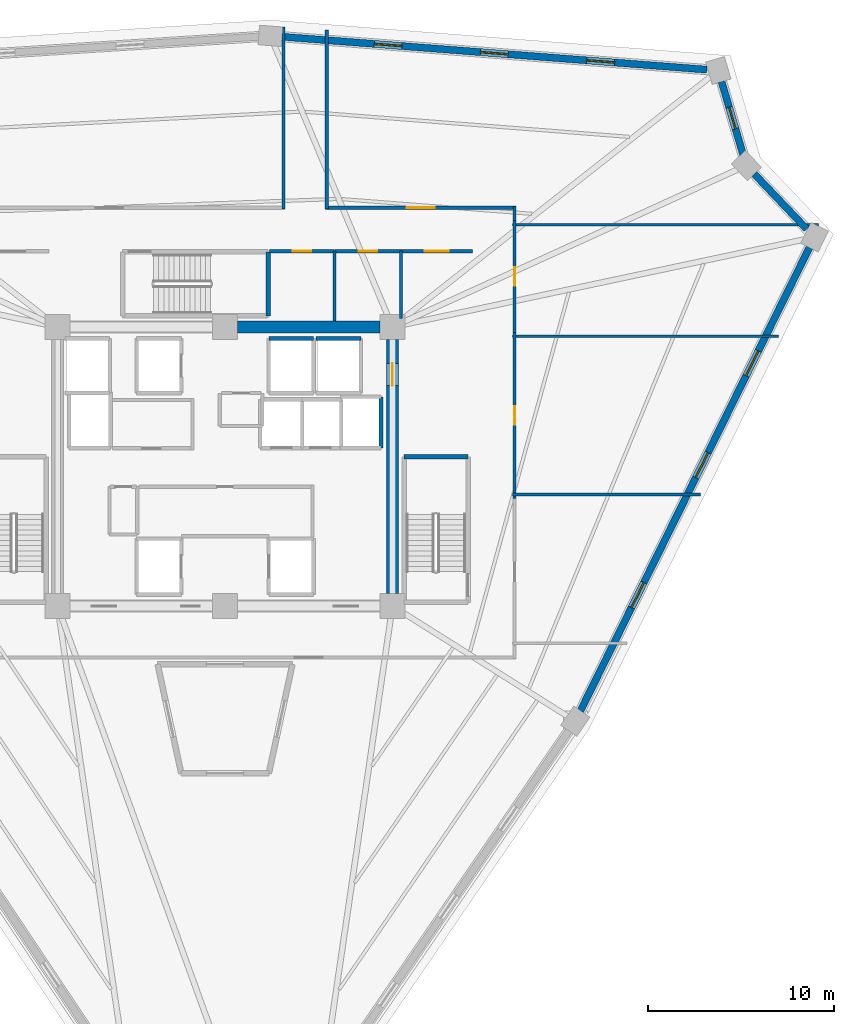
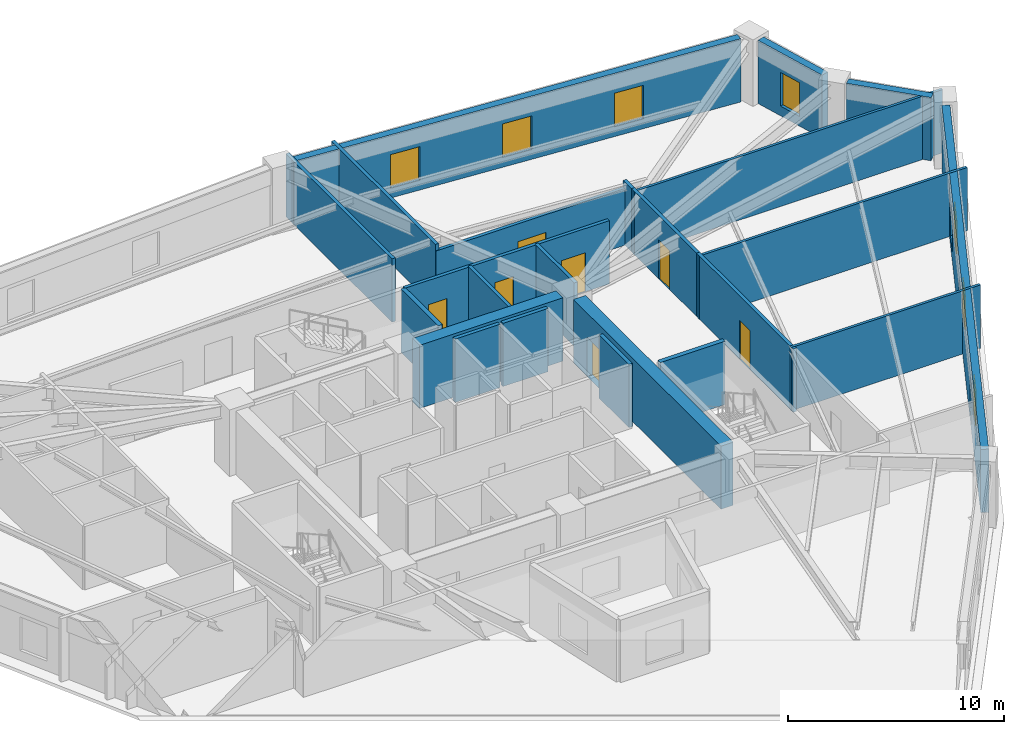
# One storey, part 6 of 9: 25 walls, 7 doors, 7 windows, 14 openings.
"""IFC4 building model written with IfcOpenShell, lengths in metres."""

from ifc_helpers import new_model, si_unit, direction, frame, frame_2d, origin, place, context, subcontext, project, spatial, rectangle, extrude, source, transform, mapped, material, layer, layer_set, type_object, element, fill, save


model = new_model("IFC4")

# Units and contexts
model_context = context("Model", 3, precision=1e-05, world=origin(), true_north=direction((0.0, 1.0)))
body_context = subcontext(model_context, "Body", "Model", "MODEL_VIEW")
ifc_project = project(units=[si_unit("LENGTHUNIT", "METRE"), si_unit("AREAUNIT", "SQUARE_METRE"), si_unit("VOLUMEUNIT", "CUBIC_METRE"), si_unit("PLANEANGLEUNIT", "RADIAN"), si_unit("MASSUNIT", "GRAM", prefix="KILO")], contexts=[model_context])

# Site, building, storey
site_placement = place(None, origin())
site = spatial("IfcSite", under=ifc_project, at=site_placement, CompositionType="ELEMENT")
building_placement = place(site_placement, origin())
building = spatial("IfcBuilding", under=site, at=building_placement, Name="Liaohun Quay Tower", CompositionType="ELEMENT")
storey_placement = place(building_placement, frame((0.0, 0.0, 258.75)))
storey = spatial("IfcBuildingStorey", under=building, at=storey_placement, Name="L67", CompositionType="ELEMENT", Elevation=258.75)

# Wall
ifc_material_1 = material(Name="Concrete C55", Category="concrete")
ifc_layer_1 = layer(ifc_material_1, 0.64990234375, Name="Concrete C55", Category="concrete")
ifc_layer_set_1 = layer_set([ifc_layer_1], Name="Concrete C55")
wall_type_1 = type_object("IfcWallType", Name="WAL-COR-Z3", PredefinedType="SHEAR", material=ifc_layer_set_1)
wall_1_placement = place(storey_placement, frame((60.675048828125, 61.5, 0.0), z_axis=(0.0, 0.0, 1.0), x_axis=(1.0, 0.0, 0.0)))
element("IfcWall", 1, at=wall_1_placement, inside=storey, type_object=wall_type_1, Name="L67 Central Core Shear Wall N-E", PredefinedType="SHEAR", context=body_context, shape_type="SweptSolid", body=[
    extrude(rectangle(XDim=7.64990234375, YDim=0.64990234375, at=frame_2d((3.824951171875, 0.0))), origin(), (0.0, 0.0, 1.0), 3.570068359375),
])

# Wall, opening, door
wall_2_placement = place(storey_placement, frame((69.0, 60.824951171875, 0.0), z_axis=(0.0, 0.0, 1.0), x_axis=(0.0, -1.0, 0.0)))
wall_2 = element("IfcWall", 2, at=wall_2_placement, inside=storey, type_object=wall_type_1, Name="L67 Central Core Shear Wall E", PredefinedType="SHEAR", context=body_context, shape_type="SweptSolid", body=[
    extrude(rectangle(XDim=13.64990234375, YDim=0.64990234375, at=frame_2d((6.824951171875, 0.0))), origin(), (0.0, 0.0, 1.0), 3.570068359375),
])
shared_shape_1 = source(origin(), body_context, "Body", "SweptSolid", [
    extrude(rectangle(XDim=1.199951171875, YDim=2.199951171875, at=frame_2d((0.60009765625, 1.10009765625))), frame((0.0, 0.3349609375, 0.0), z_axis=(0.0, -1.0, 0.0), x_axis=(1.0, 0.0, 0.0)), (0.0, 0.0, 1.0), 0.669921875),
])
opening_1_placement = place(wall_2_placement, frame((1.27490234375, 0.0, 0.0)))
opening_1 = element("IfcOpeningElement", 3, at=opening_1_placement, cuts=wall_2, Name="Opening SD1", PredefinedType="OPENING", context=body_context, shape_type="MappedRepresentation", body=[
    mapped(shared_shape_1, transform((0.0, 0.0, 0.0), x_axis=(1.0, 0.0, 0.0), y_axis=(0.0, 1.0, 0.0), z_axis=(0.0, 0.0, 1.0), scale=1.0)),
])
ifc_material_2 = material(Name="Galvanised steel fire door", Category="steel")
door_type_1 = type_object("IfcDoorType", Name="DOR-STR-1200", OperationType="NOTDEFINED", PredefinedType="DOOR", material=ifc_material_2)
shared_shape_2 = source(origin(), body_context, "Body", "SweptSolid", [
    extrude(rectangle(XDim=1.199951171875, YDim=2.199951171875, at=frame_2d((0.60009765625, 1.10009765625))), frame((0.0, 0.02490234375, 0.0), z_axis=(0.0, -1.0, 0.0), x_axis=(1.0, 0.0, 0.0)), (0.0, 0.0, 1.0), 0.050048828125),
])
door_1_placement = place(opening_1_placement, origin())
door_1 = element("IfcDoor", 4, at=door_1_placement, inside=storey, type_object=door_type_1, Name="L67 North-East Core Lobby Smokeproof Door", OperationType="SINGLE_SWING_LEFT", OverallHeight=2.199951171875, OverallWidth=1.199951171875, PredefinedType="DOOR", context=body_context, shape_type="MappedRepresentation", body=[
    mapped(shared_shape_2, transform((0.0, 0.0, 0.0), x_axis=(1.0, 0.0, 0.0), y_axis=(0.0, 1.0, 0.0), z_axis=(0.0, 0.0, 1.0), scale=1.0)),
])
fill(opening_1, door_1)

# Wall, openings, windows
ifc_material_3 = material(Name="Precast concrete C50 insulated sandwich", Category="concrete")
ifc_layer_2 = layer(ifc_material_3, 0.3798828125, Name="Precast concrete C50 insulated sandwich", Category="concrete")
ifc_layer_set_2 = layer_set([ifc_layer_2], Name="Precast concrete C50 insulated sandwich")
wall_type_2 = type_object("IfcWallType", Name="WAL-EXT-Z34", PredefinedType="SOLIDWALL", material=ifc_layer_set_2)
wall_3_placement = place(storey_placement, frame((79.10009765625, 40.864990234375, 0.0), z_axis=(0.0, 0.0, 1.0), x_axis=(0.44309993188, 0.896472225096, 0.0)))
wall_3 = element("IfcWall", 5, at=wall_3_placement, inside=storey, type_object=wall_type_2, Name="L67 Brutalist Precast Pier Wall 03", PredefinedType="SOLIDWALL", context=body_context, shape_type="SweptSolid", body=[
    extrude(rectangle(XDim=27.783447265625, YDim=0.3798828125, at=frame_2d((13.8916015625, 0.0))), origin(), (0.0, 0.0, 1.0), 3.570068359375),
])
shared_shape_3 = source(origin(), body_context, "Body", "SweptSolid", [
    extrude(rectangle(XDim=1.5, YDim=1.89990234375, at=frame_2d((0.75, 0.949951171875))), frame((0.0, 0.199951171875, 0.0), z_axis=(0.0, -1.0, 0.0), x_axis=(1.0, 0.0, 0.0)), (0.0, 0.0, 1.0), 0.39990234375),
])
opening_2_placement = place(wall_3_placement, frame((6.196044921875, 0.0, 0.550048828125)))
opening_2 = element("IfcOpeningElement", 6, at=opening_2_placement, cuts=wall_3, Name="Opening W03", PredefinedType="OPENING", context=body_context, shape_type="MappedRepresentation", body=[
    mapped(shared_shape_3, transform((0.0, 0.0, 0.0), x_axis=(1.0, 0.0, 0.0), y_axis=(0.0, 1.0, 0.0), z_axis=(0.0, 0.0, 1.0), scale=1.0)),
])
opening_3_placement = place(wall_3_placement, frame((13.991943359375, 0.0, 0.550048828125)))
opening_3 = element("IfcOpeningElement", 7, at=opening_3_placement, cuts=wall_3, Name="Opening W03", PredefinedType="OPENING", context=body_context, shape_type="MappedRepresentation", body=[
    mapped(shared_shape_3, transform((0.0, 0.0, 0.0), x_axis=(1.0, 0.0, 0.0), y_axis=(0.0, 1.0, 0.0), z_axis=(0.0, 0.0, 1.0), scale=1.0)),
])
opening_4_placement = place(wall_3_placement, frame((20.087890625, 0.0, 0.550048828125)))
opening_4 = element("IfcOpeningElement", 8, at=opening_4_placement, cuts=wall_3, Name="Opening W03", PredefinedType="OPENING", context=body_context, shape_type="MappedRepresentation", body=[
    mapped(shared_shape_3, transform((0.0, 0.0, 0.0), x_axis=(1.0, 0.0, 0.0), y_axis=(0.0, 1.0, 0.0), z_axis=(0.0, 0.0, 1.0), scale=1.0)),
])
ifc_material_4 = material(Name="Triple Low-E argon glazing in thermally broken aluminium", Category="aluminium")
window_type_1 = type_object("IfcWindowType", Name="WIN-PUN-Z3", PartitioningType="DOUBLE_PANEL_VERTICAL", PredefinedType="WINDOW", material=ifc_material_4)
shared_shape_4 = source(origin(), body_context, "Body", "SweptSolid", [
    extrude(rectangle(XDim=1.5, YDim=1.89990234375, at=frame_2d((0.75, 0.949951171875))), frame((0.0, 0.030029296875, 0.0), z_axis=(0.0, -1.0, 0.0), x_axis=(1.0, 0.0, 0.0)), (0.0, 0.0, 1.0), 0.06005859375),
])
window_1_placement = place(opening_2_placement, origin())
window_1 = element("IfcWindow", 9, at=window_1_placement, inside=storey, type_object=window_type_1, Name="L67 Recessed Cold-Climate Punched Window 03-1", OverallHeight=1.89990234375, OverallWidth=1.5, PartitioningType="DOUBLE_PANEL_VERTICAL", PredefinedType="WINDOW", context=body_context, shape_type="MappedRepresentation", body=[
    mapped(shared_shape_4, transform((0.0, 0.0, 0.0), x_axis=(1.0, 0.0, 0.0), y_axis=(0.0, 1.0, 0.0), z_axis=(0.0, 0.0, 1.0), scale=1.0)),
])
fill(opening_2, window_1)
window_2_placement = place(opening_3_placement, origin())
window_2 = element("IfcWindow", 10, at=window_2_placement, inside=storey, type_object=window_type_1, Name="L67 Recessed Cold-Climate Punched Window 03-2", OverallHeight=1.89990234375, OverallWidth=1.5, PartitioningType="DOUBLE_PANEL_VERTICAL", PredefinedType="WINDOW", context=body_context, shape_type="MappedRepresentation", body=[
    mapped(shared_shape_4, transform((0.0, 0.0, 0.0), x_axis=(1.0, 0.0, 0.0), y_axis=(0.0, 1.0, 0.0), z_axis=(0.0, 0.0, 1.0), scale=1.0)),
])
fill(opening_3, window_2)
window_3_placement = place(opening_4_placement, origin())
window_3 = element("IfcWindow", 11, at=window_3_placement, inside=storey, type_object=window_type_1, Name="L67 Recessed Cold-Climate Punched Window 03-3", OverallHeight=1.89990234375, OverallWidth=1.5, PartitioningType="DOUBLE_PANEL_VERTICAL", PredefinedType="WINDOW", context=body_context, shape_type="MappedRepresentation", body=[
    mapped(shared_shape_4, transform((0.0, 0.0, 0.0), x_axis=(1.0, 0.0, 0.0), y_axis=(0.0, 1.0, 0.0), z_axis=(0.0, 0.0, 1.0), scale=1.0)),
])
fill(opening_4, window_3)

# Wall
wall_4_placement = place(storey_placement, frame((91.259033203125, 66.76904296875, 0.0), z_axis=(0.0, 0.0, 1.0), x_axis=(-0.689420989275, 0.724360890404, 0.0)))
element("IfcWall", 12, at=wall_4_placement, inside=storey, type_object=wall_type_2, Name="L67 Brutalist Precast Pier Wall 04", PredefinedType="SOLIDWALL", context=body_context, shape_type="SweptSolid", body=[
    extrude(rectangle(XDim=4.087646484375, YDim=0.3798828125, at=frame_2d((2.0439453125, 0.0))), origin(), (0.0, 0.0, 1.0), 3.570068359375),
])

# Wall, opening, window
wall_5_placement = place(storey_placement, frame((87.843017578125, 70.76611328125, 0.0), z_axis=(0.0, 0.0, 1.0), x_axis=(-0.282766622506, 0.95918873909, 0.0)))
wall_5 = element("IfcWall", 13, at=wall_5_placement, inside=storey, type_object=wall_type_2, Name="L67 Brutalist Precast Pier Wall 05", PredefinedType="SOLIDWALL", context=body_context, shape_type="SweptSolid", body=[
    extrude(rectangle(XDim=4.09521484375, YDim=0.3798828125, at=frame_2d((2.047607421875, 0.0))), origin(), (0.0, 0.0, 1.0), 3.570068359375),
])
shared_shape_5 = source(origin(), body_context, "Body", "SweptSolid", [
    extrude(rectangle(XDim=1.199951171875, YDim=1.89990234375, at=frame_2d((0.60009765625, 0.949951171875))), frame((0.0, 0.199951171875, 0.0), z_axis=(0.0, -1.0, 0.0), x_axis=(1.0, 0.0, 0.0)), (0.0, 0.0, 1.0), 0.39990234375),
])
opening_5_placement = place(wall_5_placement, frame((1.447998046875, 0.0, 0.550048828125)))
opening_5 = element("IfcOpeningElement", 14, at=opening_5_placement, cuts=wall_5, Name="Opening W05", PredefinedType="OPENING", context=body_context, shape_type="MappedRepresentation", body=[
    mapped(shared_shape_5, transform((0.0, 0.0, 0.0), x_axis=(1.0, 0.0, 0.0), y_axis=(0.0, 1.0, 0.0), z_axis=(0.0, 0.0, 1.0), scale=1.0)),
])
ifc_material_5 = material(Name="Triple Low-E corner notch glazing", Category="glass")
window_type_2 = type_object("IfcWindowType", Name="WIN-NOTCH", PartitioningType="SINGLE_PANEL", PredefinedType="WINDOW", material=ifc_material_5)
shared_shape_6 = source(origin(), body_context, "Body", "SweptSolid", [
    extrude(rectangle(XDim=1.199951171875, YDim=1.89990234375, at=frame_2d((0.60009765625, 0.949951171875))), frame((0.0, 0.030029296875, 0.0), z_axis=(0.0, -1.0, 0.0), x_axis=(1.0, 0.0, 0.0)), (0.0, 0.0, 1.0), 0.06005859375),
])
window_4_placement = place(opening_5_placement, origin())
window_4 = element("IfcWindow", 15, at=window_4_placement, inside=storey, type_object=window_type_2, Name="L67 Corner Notch Window W05-05", OverallHeight=1.89990234375, OverallWidth=1.199951171875, PartitioningType="SINGLE_PANEL", PredefinedType="WINDOW", context=body_context, shape_type="MappedRepresentation", body=[
    mapped(shared_shape_6, transform((0.0, 0.0, 0.0), x_axis=(1.0, 0.0, 0.0), y_axis=(0.0, 1.0, 0.0), z_axis=(0.0, 0.0, 1.0), scale=1.0)),
])
fill(opening_5, window_4)

# Wall, openings, windows
wall_6_placement = place(storey_placement, frame((85.89794921875, 75.3310546875, 0.0), z_axis=(0.0, 0.0, 1.0), x_axis=(-0.997012155609, 0.077244815801, 0.0)))
wall_6 = element("IfcWall", 16, at=wall_6_placement, inside=storey, type_object=wall_type_2, Name="L67 Brutalist Precast Pier Wall 06", PredefinedType="SOLIDWALL", context=body_context, shape_type="SweptSolid", body=[
    extrude(rectangle(XDim=22.914306640625, YDim=0.3798828125, at=frame_2d((11.45703125, 0.0))), origin(), (0.0, 0.0, 1.0), 3.570068359375),
])
opening_6_placement = place(wall_6_placement, frame((4.97900390625, 0.0, 0.550048828125)))
opening_6 = element("IfcOpeningElement", 17, at=opening_6_placement, cuts=wall_6, Name="Opening W03", PredefinedType="OPENING", context=body_context, shape_type="MappedRepresentation", body=[
    mapped(shared_shape_3, transform((0.0, 0.0, 0.0), x_axis=(1.0, 0.0, 0.0), y_axis=(0.0, 1.0, 0.0), z_axis=(0.0, 0.0, 1.0), scale=1.0)),
])
opening_7_placement = place(wall_6_placement, frame((10.70703125, 0.0, 0.550048828125)))
opening_7 = element("IfcOpeningElement", 18, at=opening_7_placement, cuts=wall_6, Name="Opening W03", PredefinedType="OPENING", context=body_context, shape_type="MappedRepresentation", body=[
    mapped(shared_shape_3, transform((0.0, 0.0, 0.0), x_axis=(1.0, 0.0, 0.0), y_axis=(0.0, 1.0, 0.0), z_axis=(0.0, 0.0, 1.0), scale=1.0)),
])
opening_8_placement = place(wall_6_placement, frame((16.43603515625, 0.0, 0.550048828125)))
opening_8 = element("IfcOpeningElement", 19, at=opening_8_placement, cuts=wall_6, Name="Opening W03", PredefinedType="OPENING", context=body_context, shape_type="MappedRepresentation", body=[
    mapped(shared_shape_3, transform((0.0, 0.0, 0.0), x_axis=(1.0, 0.0, 0.0), y_axis=(0.0, 1.0, 0.0), z_axis=(0.0, 0.0, 1.0), scale=1.0)),
])
window_5_placement = place(opening_6_placement, origin())
window_5 = element("IfcWindow", 20, at=window_5_placement, inside=storey, type_object=window_type_1, Name="L67 Recessed Cold-Climate Punched Window 06-1", OverallHeight=1.89990234375, OverallWidth=1.5, PartitioningType="DOUBLE_PANEL_VERTICAL", PredefinedType="WINDOW", context=body_context, shape_type="MappedRepresentation", body=[
    mapped(shared_shape_4, transform((0.0, 0.0, 0.0), x_axis=(1.0, 0.0, 0.0), y_axis=(0.0, 1.0, 0.0), z_axis=(0.0, 0.0, 1.0), scale=1.0)),
])
fill(opening_6, window_5)
window_6_placement = place(opening_7_placement, origin())
window_6 = element("IfcWindow", 21, at=window_6_placement, inside=storey, type_object=window_type_1, Name="L67 Recessed Cold-Climate Punched Window 06-2", OverallHeight=1.89990234375, OverallWidth=1.5, PartitioningType="DOUBLE_PANEL_VERTICAL", PredefinedType="WINDOW", context=body_context, shape_type="MappedRepresentation", body=[
    mapped(shared_shape_4, transform((0.0, 0.0, 0.0), x_axis=(1.0, 0.0, 0.0), y_axis=(0.0, 1.0, 0.0), z_axis=(0.0, 0.0, 1.0), scale=1.0)),
])
fill(opening_7, window_6)
window_7_placement = place(opening_8_placement, origin())
window_7 = element("IfcWindow", 22, at=window_7_placement, inside=storey, type_object=window_type_1, Name="L67 Recessed Cold-Climate Punched Window 06-3", OverallHeight=1.89990234375, OverallWidth=1.5, PartitioningType="DOUBLE_PANEL_VERTICAL", PredefinedType="WINDOW", context=body_context, shape_type="MappedRepresentation", body=[
    mapped(shared_shape_4, transform((0.0, 0.0, 0.0), x_axis=(1.0, 0.0, 0.0), y_axis=(0.0, 1.0, 0.0), z_axis=(0.0, 0.0, 1.0), scale=1.0)),
])
fill(opening_8, window_7)

# Wall, opening, door
ifc_material_6 = material(Name="Autoclaved aerated concrete blockwork", Category="masonry")
ifc_layer_3 = layer(ifc_material_6, 0.179931640625, Name="Autoclaved aerated concrete blockwork", Category="masonry")
ifc_layer_set_3 = layer_set([ifc_layer_3], Name="Autoclaved aerated concrete blockwork")
wall_type_3 = type_object("IfcWallType", Name="WAL-PRT-COR", PredefinedType="PARTITIONING", material=ifc_layer_set_3)
wall_7_placement = place(storey_placement, frame((62.389892578125, 65.580078125, 0.0), z_axis=(0.0, 0.0, 1.0), x_axis=(1.0, 0.0, 0.0)))
wall_7 = element("IfcWall", 23, at=wall_7_placement, inside=storey, type_object=wall_type_3, Name="L67 Interior Partition Wall 008", PredefinedType="PARTITIONING", context=body_context, shape_type="SweptSolid", body=[
    extrude(rectangle(XDim=3.489990234375, YDim=0.179931640625, at=frame_2d((1.7451171875, 0.0))), origin(), (0.0, 0.0, 1.0), 3.570068359375),
])
shared_shape_7 = source(origin(), body_context, "Body", "SweptSolid", [
    extrude(rectangle(XDim=1.0, YDim=2.199951171875, at=frame_2d((0.5, 1.10009765625))), frame((0.0, 0.099853515625, 0.0), z_axis=(0.0, -1.0, 0.0), x_axis=(1.0, 0.0, 0.0)), (0.0, 0.0, 1.0), 0.199951171875),
])
opening_9_placement = place(wall_7_placement, frame((1.2451171875, 0.0, 0.0)))
opening_9 = element("IfcOpeningElement", 24, at=opening_9_placement, cuts=wall_7, Name="Opening OD1", PredefinedType="OPENING", context=body_context, shape_type="MappedRepresentation", body=[
    mapped(shared_shape_7, transform((0.0, 0.0, 0.0), x_axis=(1.0, 0.0, 0.0), y_axis=(0.0, 1.0, 0.0), z_axis=(0.0, 0.0, 1.0), scale=1.0)),
])
ifc_material_7 = material(Name="Solid-core oak veneer timber leaf in steel frame", Category="steel")
door_type_2 = type_object("IfcDoorType", Name="DOR-OFF-1000", OperationType="NOTDEFINED", PredefinedType="DOOR", material=ifc_material_7)
shared_shape_8 = source(origin(), body_context, "Body", "SweptSolid", [
    extrude(rectangle(XDim=1.0, YDim=2.199951171875, at=frame_2d((0.5, 1.10009765625))), frame((0.0, 0.02490234375, 0.0), z_axis=(0.0, -1.0, 0.0), x_axis=(1.0, 0.0, 0.0)), (0.0, 0.0, 1.0), 0.050048828125),
])
door_2_placement = place(opening_9_placement, origin())
door_2 = element("IfcDoor", 25, at=door_2_placement, inside=storey, type_object=door_type_2, Name="L67 North-East Archive Store Door", OperationType="SINGLE_SWING_RIGHT", OverallHeight=2.199951171875, OverallWidth=1.0, PredefinedType="DOOR", context=body_context, shape_type="MappedRepresentation", body=[
    mapped(shared_shape_8, transform((0.0, 0.0, 0.0), x_axis=(1.0, 0.0, 0.0), y_axis=(0.0, 1.0, 0.0), z_axis=(0.0, 0.0, 1.0), scale=1.0)),
])
fill(opening_9, door_2)

wall_8_placement = place(storey_placement, frame((65.919921875, 65.580078125, 0.0), z_axis=(0.0, 0.0, 1.0), x_axis=(1.0, 0.0, 0.0)))
wall_8 = element("IfcWall", 26, at=wall_8_placement, inside=storey, type_object=wall_type_3, Name="L67 Interior Partition Wall 009", PredefinedType="PARTITIONING", context=body_context, shape_type="SweptSolid", body=[
    extrude(rectangle(XDim=3.5400390625, YDim=0.179931640625, at=frame_2d((1.77001953125, 0.0))), origin(), (0.0, 0.0, 1.0), 3.570068359375),
])
opening_10_placement = place(wall_8_placement, frame((1.27001953125, 0.0, 0.0)))
opening_10 = element("IfcOpeningElement", 27, at=opening_10_placement, cuts=wall_8, Name="Opening OD1", PredefinedType="OPENING", context=body_context, shape_type="MappedRepresentation", body=[
    mapped(shared_shape_7, transform((0.0, 0.0, 0.0), x_axis=(1.0, 0.0, 0.0), y_axis=(0.0, 1.0, 0.0), z_axis=(0.0, 0.0, 1.0), scale=1.0)),
])
door_3_placement = place(opening_10_placement, origin())
door_3 = element("IfcDoor", 28, at=door_3_placement, inside=storey, type_object=door_type_2, Name="L67 North-East Pantry Room Door", OperationType="SINGLE_SWING_LEFT", OverallHeight=2.199951171875, OverallWidth=1.0, PredefinedType="DOOR", context=body_context, shape_type="MappedRepresentation", body=[
    mapped(shared_shape_8, transform((0.0, 0.0, 0.0), x_axis=(1.0, 0.0, 0.0), y_axis=(0.0, 1.0, 0.0), z_axis=(0.0, 0.0, 1.0), scale=1.0)),
])
fill(opening_10, door_3)

wall_9_placement = place(storey_placement, frame((69.4599609375, 65.580078125, 0.0), z_axis=(0.0, 0.0, 1.0), x_axis=(1.0, 0.0, 0.0)))
wall_9 = element("IfcWall", 29, at=wall_9_placement, inside=storey, type_object=wall_type_3, Name="L67 Interior Partition Wall 011", PredefinedType="PARTITIONING", context=body_context, shape_type="SweptSolid", body=[
    extrude(rectangle(XDim=3.840087890625, YDim=0.179931640625, at=frame_2d((1.919921875, 0.0))), origin(), (0.0, 0.0, 1.0), 3.570068359375),
])
shared_shape_9 = source(origin(), body_context, "Body", "SweptSolid", [
    extrude(rectangle(XDim=1.300048828125, YDim=2.199951171875, at=frame_2d((0.64990234375, 1.10009765625))), frame((0.0, 0.099853515625, 0.0), z_axis=(0.0, -1.0, 0.0), x_axis=(1.0, 0.0, 0.0)), (0.0, 0.0, 1.0), 0.199951171875),
])
opening_11_placement = place(wall_9_placement, frame((1.27001953125, 0.0, 0.0)))
opening_11 = element("IfcOpeningElement", 30, at=opening_11_placement, cuts=wall_9, Name="Opening FD1", PredefinedType="OPENING", context=body_context, shape_type="MappedRepresentation", body=[
    mapped(shared_shape_9, transform((0.0, 0.0, 0.0), x_axis=(1.0, 0.0, 0.0), y_axis=(0.0, 1.0, 0.0), z_axis=(0.0, 0.0, 1.0), scale=1.0)),
])
ifc_material_8 = material(Name="Galvanised steel smokeproof fire door", Category="steel")
door_type_3 = type_object("IfcDoorType", Name="DOR-FFL-1300", OperationType="NOTDEFINED", PredefinedType="DOOR", material=ifc_material_8)
shared_shape_10 = source(origin(), body_context, "Body", "SweptSolid", [
    extrude(rectangle(XDim=1.300048828125, YDim=2.199951171875, at=frame_2d((0.64990234375, 1.10009765625))), frame((0.0, 0.02490234375, 0.0), z_axis=(0.0, -1.0, 0.0), x_axis=(1.0, 0.0, 0.0)), (0.0, 0.0, 1.0), 0.050048828125),
])
door_4_placement = place(opening_11_placement, origin())
door_4 = element("IfcDoor", 31, at=door_4_placement, inside=storey, type_object=door_type_3, Name="L67 East Core Vestibule Door", OperationType="SINGLE_SWING_LEFT", OverallHeight=2.199951171875, OverallWidth=1.300048828125, PredefinedType="DOOR", context=body_context, shape_type="MappedRepresentation", body=[
    mapped(shared_shape_10, transform((0.0, 0.0, 0.0), x_axis=(1.0, 0.0, 0.0), y_axis=(0.0, 1.0, 0.0), z_axis=(0.0, 0.0, 1.0), scale=1.0)),
])
fill(opening_11, door_4)

wall_10_placement = place(storey_placement, frame((75.56005859375, 61.215087890625, 0.0), z_axis=(0.0, 0.0, 1.0), x_axis=(0.0, -1.0, 0.0)))
wall_10 = element("IfcWall", 32, at=wall_10_placement, inside=storey, type_object=wall_type_3, Name="L67 Interior Partition Wall 012", PredefinedType="PARTITIONING", context=body_context, shape_type="SweptSolid", body=[
    extrude(rectangle(XDim=8.93017578125, YDim=0.179931640625, at=frame_2d((4.465087890625, 0.0))), origin(), (0.0, 0.0, 1.0), 3.570068359375),
])
opening_12_placement = place(wall_10_placement, frame((3.965087890625, 0.0, 0.0)))
opening_12 = element("IfcOpeningElement", 33, at=opening_12_placement, cuts=wall_10, Name="Opening OD1", PredefinedType="OPENING", context=body_context, shape_type="MappedRepresentation", body=[
    mapped(shared_shape_7, transform((0.0, 0.0, 0.0), x_axis=(1.0, 0.0, 0.0), y_axis=(0.0, 1.0, 0.0), z_axis=(0.0, 0.0, 1.0), scale=1.0)),
])
door_5_placement = place(opening_12_placement, origin())
door_5 = element("IfcDoor", 34, at=door_5_placement, inside=storey, type_object=door_type_2, Name="L67 Digital Prototyping Laboratory 01 Door", OperationType="SINGLE_SWING_RIGHT", OverallHeight=2.199951171875, OverallWidth=1.0, PredefinedType="DOOR", context=body_context, shape_type="MappedRepresentation", body=[
    mapped(shared_shape_8, transform((0.0, 0.0, 0.0), x_axis=(1.0, 0.0, 0.0), y_axis=(0.0, 1.0, 0.0), z_axis=(0.0, 0.0, 1.0), scale=1.0)),
])
fill(opening_12, door_5)

wall_11_placement = place(storey_placement, frame((75.56005859375, 67.215087890625, 0.0), z_axis=(0.0, 0.0, 1.0), x_axis=(0.0, -1.0, 0.0)))
wall_11 = element("IfcWall", 35, at=wall_11_placement, inside=storey, type_object=wall_type_3, Name="L67 Interior Partition Wall 013", PredefinedType="PARTITIONING", context=body_context, shape_type="SweptSolid", body=[
    extrude(rectangle(XDim=6.0, YDim=0.179931640625, at=frame_2d((3.0, 0.0))), origin(), (0.0, 0.0, 1.0), 3.570068359375),
])
opening_13_placement = place(wall_11_placement, frame((2.5, 0.0, 0.0)))
opening_13 = element("IfcOpeningElement", 36, at=opening_13_placement, cuts=wall_11, Name="Opening OD1", PredefinedType="OPENING", context=body_context, shape_type="MappedRepresentation", body=[
    mapped(shared_shape_7, transform((0.0, 0.0, 0.0), x_axis=(1.0, 0.0, 0.0), y_axis=(0.0, 1.0, 0.0), z_axis=(0.0, 0.0, 1.0), scale=1.0)),
])
door_6_placement = place(opening_13_placement, origin())
door_6 = element("IfcDoor", 37, at=door_6_placement, inside=storey, type_object=door_type_2, Name="L67 Client Collaboration Lounge 02 Door", OperationType="SINGLE_SWING_LEFT", OverallHeight=2.199951171875, OverallWidth=1.0, PredefinedType="DOOR", context=body_context, shape_type="MappedRepresentation", body=[
    mapped(shared_shape_8, transform((0.0, 0.0, 0.0), x_axis=(1.0, 0.0, 0.0), y_axis=(0.0, 1.0, 0.0), z_axis=(0.0, 0.0, 1.0), scale=1.0)),
])
fill(opening_13, door_6)

wall_12_placement = place(storey_placement, frame((65.389892578125, 67.909912109375, 0.0), z_axis=(0.0, 0.0, 1.0), x_axis=(1.0, 0.0, 0.0)))
wall_12 = element("IfcWall", 38, at=wall_12_placement, inside=storey, type_object=wall_type_3, Name="L67 Interior Partition Wall 014", PredefinedType="PARTITIONING", context=body_context, shape_type="SweptSolid", body=[
    extrude(rectangle(XDim=10.239990234375, YDim=0.179931640625, at=frame_2d((5.1201171875, 0.0))), origin(), (0.0, 0.0, 1.0), 3.205078125),
])
shared_shape_11 = source(origin(), body_context, "Body", "SweptSolid", [
    extrude(rectangle(XDim=1.5, YDim=2.199951171875, at=frame_2d((0.75, 1.10009765625))), frame((0.0, 0.099853515625, 0.0), z_axis=(0.0, -1.0, 0.0), x_axis=(1.0, 0.0, 0.0)), (0.0, 0.0, 1.0), 0.199951171875),
])
opening_14_placement = place(wall_12_placement, frame((4.3701171875, 0.0, 0.0)))
opening_14 = element("IfcOpeningElement", 39, at=opening_14_placement, cuts=wall_12, Name="Opening OD2", PredefinedType="OPENING", context=body_context, shape_type="MappedRepresentation", body=[
    mapped(shared_shape_11, transform((0.0, 0.0, 0.0), x_axis=(1.0, 0.0, 0.0), y_axis=(0.0, 1.0, 0.0), z_axis=(0.0, 0.0, 1.0), scale=1.0)),
])
ifc_material_9 = material(Name="Acoustic oak veneer double door")
door_type_4 = type_object("IfcDoorType", Name="DOR-OFF-1500", OperationType="DOUBLE_DOOR_SINGLE_SWING", PredefinedType="DOOR", material=ifc_material_9)
shared_shape_12 = source(origin(), body_context, "Body", "SweptSolid", [
    extrude(rectangle(XDim=1.5, YDim=2.199951171875, at=frame_2d((0.75, 1.10009765625))), frame((0.0, 0.02490234375, 0.0), z_axis=(0.0, -1.0, 0.0), x_axis=(1.0, 0.0, 0.0)), (0.0, 0.0, 1.0), 0.050048828125),
])
door_7_placement = place(opening_14_placement, origin())
door_7 = element("IfcDoor", 40, at=door_7_placement, inside=storey, type_object=door_type_4, Name="L67 Digital Prototyping Laboratory 03 Door", OperationType="DOUBLE_DOOR_SINGLE_SWING", OverallHeight=2.199951171875, OverallWidth=1.5, PredefinedType="DOOR", context=body_context, shape_type="MappedRepresentation", body=[
    mapped(shared_shape_12, transform((0.0, 0.0, 0.0), x_axis=(1.0, 0.0, 0.0), y_axis=(0.0, 1.0, 0.0), z_axis=(0.0, 0.0, 1.0), scale=1.0)),
])
fill(opening_14, door_7)

# Walls
wall_13_placement = place(storey_placement, frame((65.8798828125, 61.824951171875, 0.0), z_axis=(0.0, 0.0, 1.0), x_axis=(0.0, 1.0, 0.0)))
element("IfcWall", 41, at=wall_13_placement, inside=storey, type_object=wall_type_3, Name="L67 Interior Partition Wall 032", PredefinedType="PARTITIONING", context=body_context, shape_type="SweptSolid", body=[
    extrude(rectangle(XDim=3.755126953125, YDim=0.179931640625, at=frame_2d((1.87744140625, 0.0))), origin(), (0.0, 0.0, 1.0), 3.570068359375),
])
wall_14_placement = place(storey_placement, frame((69.4599609375, 61.949951171875, 0.0), z_axis=(0.0, 0.0, 1.0), x_axis=(0.0, 1.0, 0.0)))
element("IfcWall", 42, at=wall_14_placement, inside=storey, type_object=wall_type_3, Name="L67 Interior Partition Wall 033", PredefinedType="PARTITIONING", context=body_context, shape_type="SweptSolid", body=[
    extrude(rectangle(XDim=3.630126953125, YDim=0.179931640625, at=frame_2d((1.81494140625, 0.0))), origin(), (0.0, 0.0, 1.0), 3.570068359375),
])
wall_15_placement = place(storey_placement, frame((65.4599609375, 77.455078125, 0.0), z_axis=(0.0, 0.0, 1.0), x_axis=(0.0, -1.0, 0.0)))
element("IfcWall", 43, at=wall_15_placement, inside=storey, type_object=wall_type_3, Name="L67 Interior Partition Wall 034", PredefinedType="PARTITIONING", context=body_context, shape_type="SweptSolid", body=[
    extrude(rectangle(XDim=9.614990234375, YDim=0.179931640625, at=frame_2d((4.8076171875, 0.0))), origin(), (0.0, 0.0, 1.0), 3.570068359375),
])
wall_16_placement = place(storey_placement, frame((75.56005859375, 67.97998046875, 0.0), z_axis=(0.0, 0.0, 1.0), x_axis=(0.0, -1.0, 0.0)))
element("IfcWall", 44, at=wall_16_placement, inside=storey, type_object=wall_type_3, Name="L67 Interior Partition Wall 035", PredefinedType="PARTITIONING", context=body_context, shape_type="SweptSolid", body=[
    extrude(rectangle(XDim=0.764892578125, YDim=0.179931640625, at=frame_2d((0.38232421875, 0.0))), origin(), (0.0, 0.0, 1.0), 3.570068359375),
])
wall_17_placement = place(storey_placement, frame((63.139892578125, 67.840087890625, 0.0), z_axis=(0.0, 0.0, 1.0), x_axis=(0.0, 1.0, 0.0)))
element("IfcWall", 45, at=wall_17_placement, inside=storey, type_object=wall_type_3, Name="L67 Interior Partition Wall 036", PredefinedType="PARTITIONING", context=body_context, shape_type="SweptSolid", body=[
    extrude(rectangle(XDim=9.794921875, YDim=0.179931640625, at=frame_2d((4.8974609375, 0.0))), origin(), (0.0, 0.0, 1.0), 3.570068359375),
])
ifc_material_10 = material(Name="Gypsum board on twin steel studs", Category="steel")
ifc_layer_4 = layer(ifc_material_10, 0.139892578125, Name="Gypsum board on twin steel studs", Category="steel")
ifc_layer_set_4 = layer_set([ifc_layer_4], Name="Gypsum board on twin steel studs")
wall_type_4 = type_object("IfcWallType", Name="WAL-PRT-OFF", PredefinedType="PARTITIONING", material=ifc_layer_set_4)
wall_18_placement = place(storey_placement, frame((75.4599609375, 52.5, 0.0), z_axis=(0.0, 0.0, 1.0), x_axis=(1.0, 0.0, 0.0)))
element("IfcWall", 46, at=wall_18_placement, inside=storey, type_object=wall_type_4, Name="L67 Interior Partition Wall 047", PredefinedType="PARTITIONING", context=body_context, shape_type="SweptSolid", body=[
    extrude(rectangle(XDim=10.093994140625, YDim=0.139892578125, at=frame_2d((5.046875, 0.0))), origin(), (0.0, 0.0, 1.0), 3.570068359375),
])
wall_19_placement = place(storey_placement, frame((75.4599609375, 61.0, 0.0), z_axis=(0.0, 0.0, 1.0), x_axis=(1.0, 0.0, 0.0)))
element("IfcWall", 47, at=wall_19_placement, inside=storey, type_object=wall_type_4, Name="L67 Interior Partition Wall 048", PredefinedType="PARTITIONING", context=body_context, shape_type="SweptSolid", body=[
    extrude(rectangle(XDim=14.294921875, YDim=0.139892578125, at=frame_2d((7.1474609375, 0.0))), origin(), (0.0, 0.0, 1.0), 3.570068359375),
])
wall_20_placement = place(storey_placement, frame((75.4599609375, 67.0, 0.0), z_axis=(0.0, 0.0, 1.0), x_axis=(1.0, 0.0, 0.0)))
element("IfcWall", 48, at=wall_20_placement, inside=storey, type_object=wall_type_4, Name="L67 Interior Partition Wall 049", PredefinedType="PARTITIONING", context=body_context, shape_type="SweptSolid", body=[
    extrude(rectangle(XDim=16.448974609375, YDim=0.139892578125, at=frame_2d((8.224609375, 0.0))), origin(), (0.0, 0.0, 1.0), 3.570068359375),
])
ifc_material_11 = material(Name="Concrete C50", Category="concrete")
ifc_layer_5 = layer(ifc_material_11, 0.239990234375, Name="Concrete C50", Category="concrete")
ifc_layer_set_5 = layer_set([ifc_layer_5], Name="Concrete C50")
wall_type_5 = type_object("IfcWallType", Name="WAL-SHF-200", PredefinedType="SOLIDWALL", material=ifc_layer_set_5)
for number, where, z_axis, x_axis, name in (
    (49, (73.06005859375, 54.52001953125, 0.0), (0.0, 0.0, 1.0), (-1.0, 0.0, 0.0), "L67 Stairwell ST-2 Structural Core Wall N"),
    (50, (62.320068359375, 62.10009765625, 0.0), (0.0, 0.0, 1.0), (0.0, 1.0, 0.0), "L67 Stairwell ST-3 Structural Core Wall E"),
):
    element("IfcWall", number, at=place(storey_placement, frame(where, z_axis=z_axis, x_axis=x_axis)), inside=storey, type_object=wall_type_5, Name=name, PredefinedType="SOLIDWALL", context=body_context, shape_type="SweptSolid", body=[
        extrude(rectangle(XDim=3.43994140625, YDim=0.239990234375, at=frame_2d((1.719970703125, 0.0))), origin(), (0.0, 0.0, 1.0), 3.570068359375),
    ])
wall_21_placement = place(storey_placement, frame((64.75, 60.8798828125, 0.0), z_axis=(0.0, 0.0, 1.0), x_axis=(-1.0, 0.0, 0.0)))
element("IfcWall", 51, at=wall_21_placement, inside=storey, type_object=wall_type_5, Name="L67 Lift OB-01 Hoistway Wall N", PredefinedType="SOLIDWALL", context=body_context, shape_type="SweptSolid", body=[
    extrude(rectangle(XDim=2.39990234375, YDim=0.199951171875, at=frame_2d((1.199951171875, 0.0))), origin(), (0.0, 0.0, 1.0), 3.570068359375),
])
wall_22_placement = place(storey_placement, frame((67.300048828125, 60.8798828125, 0.0), z_axis=(0.0, 0.0, 1.0), x_axis=(-1.0, 0.0, 0.0)))
element("IfcWall", 52, at=wall_22_placement, inside=storey, type_object=wall_type_5, Name="L67 Lift OB-02 Hoistway Wall N", PredefinedType="SOLIDWALL", context=body_context, shape_type="SweptSolid", body=[
    extrude(rectangle(XDim=2.400146484375, YDim=0.199951171875, at=frame_2d((1.2001953125, 0.0))), origin(), (0.0, 0.0, 1.0), 3.570068359375),
])
wall_23_placement = place(storey_placement, frame((68.3798828125, 55.0, 0.0), z_axis=(0.0, 0.0, 1.0), x_axis=(0.0, 1.0, 0.0)))
element("IfcWall", 53, at=wall_23_placement, inside=storey, type_object=wall_type_5, Name="L67 Lift SH-03 Hoistway Wall E", PredefinedType="SOLIDWALL", context=body_context, shape_type="SweptSolid", body=[
    extrude(rectangle(XDim=2.75, YDim=0.199951171875, at=frame_2d((1.375, 0.0))), origin(), (0.0, 0.0, 1.0), 3.570068359375),
])

save(model, "model.ifc")
